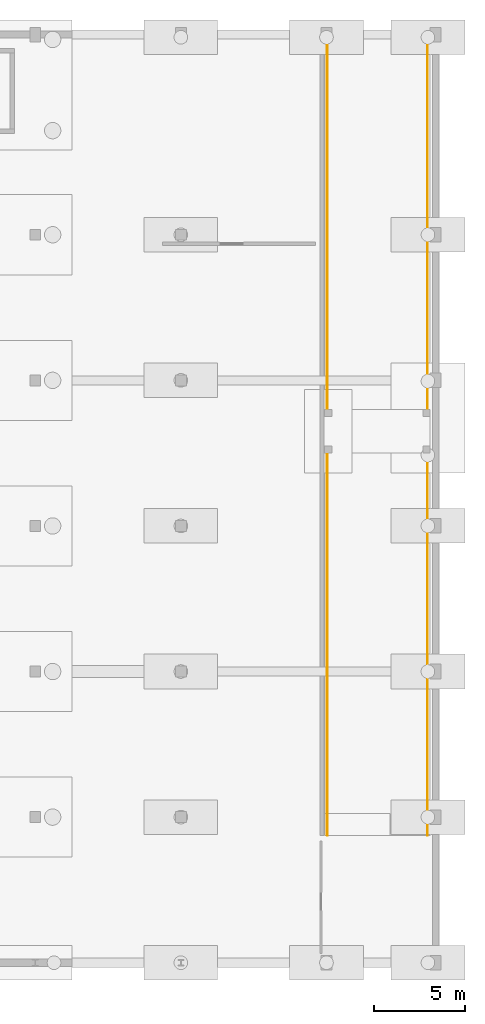
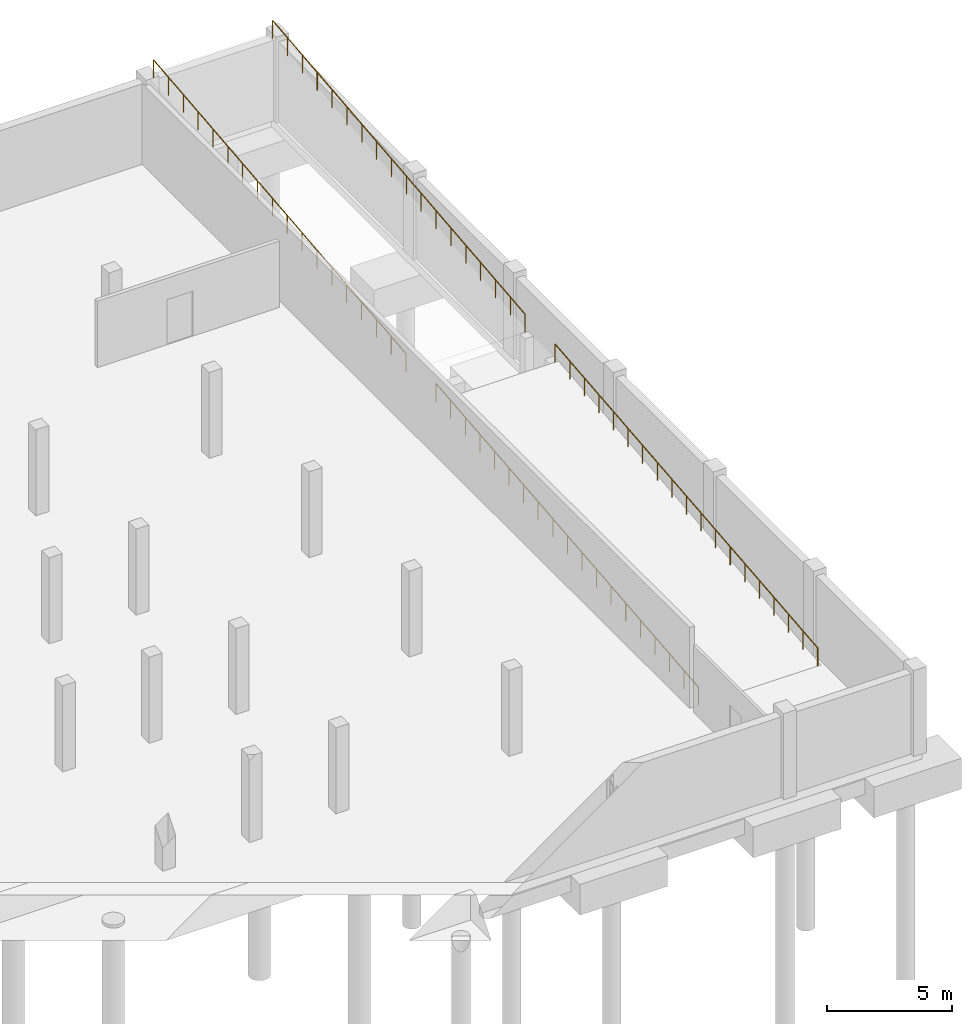
# One storey, part 14 of 15: 4 railings.
"""IFC4 building model written with IfcOpenShell, lengths in metres."""

from ifc_helpers import new_model, si_unit, derived_unit, direction, frame, origin, origin_2d, place, context, subcontext, project, spatial, circle, extrude, material, type_object, element, save


model = new_model("IFC4")

# Units and contexts
model_context = context("Model", 3, precision=1e-05, world=origin(), true_north=direction((0.0, 1.0)))
body_context = subcontext(model_context, "Body", "Model", "MODEL_VIEW")
ifc_project = project(units=[si_unit("LENGTHUNIT", "METRE"), si_unit("AREAUNIT", "SQUARE_METRE"), si_unit("VOLUMEUNIT", "CUBIC_METRE"), si_unit("PLANEANGLEUNIT", "RADIAN"), si_unit("MASSUNIT", "GRAM", prefix="KILO"), derived_unit("THERMALTRANSMITTANCEUNIT", [(si_unit("POWERUNIT", "WATT"), 1), (si_unit("LENGTHUNIT", "METRE"), -2), (si_unit("THERMODYNAMICTEMPERATUREUNIT", "KELVIN"), -1)])], contexts=[model_context])

# Site, building, storey
site_placement = place(None, origin())
site = spatial("IfcSite", under=ifc_project, at=site_placement, CompositionType="ELEMENT")
building_placement = place(site_placement, origin())
building = spatial("IfcBuilding", under=site, at=building_placement, Name="Keldorne Ridge Multi-Sports Centre", CompositionType="ELEMENT")
storey_placement = place(building_placement, frame((0.0, 0.0, -4.199951171875)))
storey = spatial("IfcBuildingStorey", under=building, at=storey_placement, Name="B01", CompositionType="ELEMENT", Elevation=-4.199951171875)

# Railings
ifc_material = material(Name="Stainless steel", Category="steel")
railing_type = type_object("IfcRailingType", Name="RLG-HR-01", PredefinedType="HANDRAIL", material=ifc_material)
railing_1_placement = place(storey_placement, frame((168.050048828125, 73.0, 0.0)))
element("IfcRailing", 1, at=railing_1_placement, inside=storey, type_object=railing_type, Name="Vehicle ramp lower handrail W", PredefinedType="HANDRAIL", context=body_context, shape_type="SweptSolid", body=[
    extrude(circle(Radius=0.02392578125, at=origin_2d()), frame((0.0, 0.0, 0.8759765625), z_axis=(0.0, 0.995037877397, 0.099496846906), x_axis=(-1.0, 0.0, 0.0)), (0.0, 0.0, 1.0), 21.104736328125),
    extrude(circle(Radius=0.02099609375, at=origin_2d()), origin(), (0.0, 0.0, 1.0), 0.851806640625),
    extrude(circle(Radius=0.02099609375, at=origin_2d()), frame((0.0, 1.166748046875, 0.11669921875)), (0.0, 0.0, 1.0), 0.851806640625),
    extrude(circle(Radius=0.02099609375, at=origin_2d()), frame((0.0, 2.333251953125, 0.2333984375)), (0.0, 0.0, 1.0), 0.851806640625),
    extrude(circle(Radius=0.02099609375, at=origin_2d()), frame((0.0, 3.5, 0.35009765625)), (0.0, 0.0, 1.0), 0.851806640625),
    extrude(circle(Radius=0.02099609375, at=origin_2d()), frame((0.0, 4.666748046875, 0.466552734375)), (0.0, 0.0, 1.0), 0.851806640625),
    extrude(circle(Radius=0.02099609375, at=origin_2d()), frame((0.0, 5.833251953125, 0.583251953125)), (0.0, 0.0, 1.0), 0.851806640625),
    extrude(circle(Radius=0.02099609375, at=origin_2d()), frame((0.0, 7.0, 0.699951171875)), (0.0, 0.0, 1.0), 0.851806640625),
    extrude(circle(Radius=0.02099609375, at=origin_2d()), frame((0.0, 8.166748046875, 0.816650390625)), (0.0, 0.0, 1.0), 0.851806640625),
    extrude(circle(Radius=0.02099609375, at=origin_2d()), frame((0.0, 9.333251953125, 0.933349609375)), (0.0, 0.0, 1.0), 0.851806640625),
    extrude(circle(Radius=0.02099609375, at=origin_2d()), frame((0.0, 10.5, 1.0498046875)), (0.0, 0.0, 1.0), 0.851806640625),
    extrude(circle(Radius=0.02099609375, at=origin_2d()), frame((0.0, 11.666748046875, 1.16650390625)), (0.0, 0.0, 1.0), 0.851806640625),
    extrude(circle(Radius=0.02099609375, at=origin_2d()), frame((0.0, 12.833251953125, 1.283203125)), (0.0, 0.0, 1.0), 0.851806640625),
    extrude(circle(Radius=0.02099609375, at=origin_2d()), frame((0.0, 14.0, 1.39990234375)), (0.0, 0.0, 1.0), 0.851806640625),
    extrude(circle(Radius=0.02099609375, at=origin_2d()), frame((0.0, 15.166748046875, 1.5166015625)), (0.0, 0.0, 1.0), 0.851806640625),
    extrude(circle(Radius=0.02099609375, at=origin_2d()), frame((0.0, 16.333251953125, 1.63330078125)), (0.0, 0.0, 1.0), 0.851806640625),
    extrude(circle(Radius=0.02099609375, at=origin_2d()), frame((0.0, 17.5, 1.75)), (0.0, 0.0, 1.0), 0.851806640625),
    extrude(circle(Radius=0.02099609375, at=origin_2d()), frame((0.0, 18.666748046875, 1.866455078125)), (0.0, 0.0, 1.0), 0.851806640625),
    extrude(circle(Radius=0.02099609375, at=origin_2d()), frame((0.0, 19.833251953125, 1.983154296875)), (0.0, 0.0, 1.0), 0.851806640625),
    extrude(circle(Radius=0.02099609375, at=origin_2d()), frame((0.0, 21.0, 2.099853515625)), (0.0, 0.0, 1.0), 0.851806640625),
])
railing_2_placement = place(storey_placement, frame((168.050048828125, 96.39990234375, 2.099853515625)))
element("IfcRailing", 2, at=railing_2_placement, inside=storey, type_object=railing_type, Name="Vehicle ramp upper handrail W", PredefinedType="HANDRAIL", context=body_context, shape_type="SweptSolid", body=[
    extrude(circle(Radius=0.02392578125, at=origin_2d()), frame((0.0, 0.0, 0.8759765625), z_axis=(0.0, 0.994639138394, 0.10340688746), x_axis=(-1.0, 0.0, 0.0)), (0.0, 0.0, 1.0), 20.30908203125),
    extrude(circle(Radius=0.02099609375, at=origin_2d()), origin(), (0.0, 0.0, 1.0), 0.851806640625),
    extrude(circle(Radius=0.02099609375, at=origin_2d()), frame((0.0, 1.188232421875, 0.12353515625)), (0.0, 0.0, 1.0), 0.851806640625),
    extrude(circle(Radius=0.02099609375, at=origin_2d()), frame((0.0, 2.37646484375, 0.2470703125)), (0.0, 0.0, 1.0), 0.851806640625),
    extrude(circle(Radius=0.02099609375, at=origin_2d()), frame((0.0, 3.564697265625, 0.37060546875)), (0.0, 0.0, 1.0), 0.851806640625),
    extrude(circle(Radius=0.02099609375, at=origin_2d()), frame((0.0, 4.7529296875, 0.494140625)), (0.0, 0.0, 1.0), 0.851806640625),
    extrude(circle(Radius=0.02099609375, at=origin_2d()), frame((0.0, 5.941162109375, 0.61767578125)), (0.0, 0.0, 1.0), 0.851806640625),
    extrude(circle(Radius=0.02099609375, at=origin_2d()), frame((0.0, 7.12939453125, 0.7412109375)), (0.0, 0.0, 1.0), 0.851806640625),
    extrude(circle(Radius=0.02099609375, at=origin_2d()), frame((0.0, 8.317626953125, 0.86474609375)), (0.0, 0.0, 1.0), 0.851806640625),
    extrude(circle(Radius=0.02099609375, at=origin_2d()), frame((0.0, 9.505859375, 0.98828125)), (0.0, 0.0, 1.0), 0.851806640625),
    extrude(circle(Radius=0.02099609375, at=origin_2d()), frame((0.0, 10.6943359375, 1.11181640625)), (0.0, 0.0, 1.0), 0.851806640625),
    extrude(circle(Radius=0.02099609375, at=origin_2d()), frame((0.0, 11.882568359375, 1.2353515625)), (0.0, 0.0, 1.0), 0.851806640625),
    extrude(circle(Radius=0.02099609375, at=origin_2d()), frame((0.0, 13.07080078125, 1.35888671875)), (0.0, 0.0, 1.0), 0.851806640625),
    extrude(circle(Radius=0.02099609375, at=origin_2d()), frame((0.0, 14.259033203125, 1.482421875)), (0.0, 0.0, 1.0), 0.851806640625),
    extrude(circle(Radius=0.02099609375, at=origin_2d()), frame((0.0, 15.447265625, 1.60595703125)), (0.0, 0.0, 1.0), 0.851806640625),
    extrude(circle(Radius=0.02099609375, at=origin_2d()), frame((0.0, 16.635498046875, 1.7294921875)), (0.0, 0.0, 1.0), 0.851806640625),
    extrude(circle(Radius=0.02099609375, at=origin_2d()), frame((0.0, 17.82373046875, 1.85302734375)), (0.0, 0.0, 1.0), 0.851806640625),
    extrude(circle(Radius=0.02099609375, at=origin_2d()), frame((0.0, 19.011962890625, 1.9765625)), (0.0, 0.0, 1.0), 0.851806640625),
    extrude(circle(Radius=0.02099609375, at=origin_2d()), frame((0.0, 20.2001953125, 2.10009765625)), (0.0, 0.0, 1.0), 0.851806640625),
])
railing_3_placement = place(storey_placement, frame((173.550048828125, 73.0, 0.0)))
element("IfcRailing", 3, at=railing_3_placement, inside=storey, type_object=railing_type, Name="Vehicle ramp lower handrail E", PredefinedType="HANDRAIL", context=body_context, shape_type="SweptSolid", body=[
    extrude(circle(Radius=0.02392578125, at=origin_2d()), frame((0.0, 0.0, 0.8759765625), z_axis=(0.0, 0.995037877397, 0.099496846906), x_axis=(-1.0, 0.0, 0.0)), (0.0, 0.0, 1.0), 21.104736328125),
    extrude(circle(Radius=0.02099609375, at=origin_2d()), origin(), (0.0, 0.0, 1.0), 0.851806640625),
    extrude(circle(Radius=0.02099609375, at=origin_2d()), frame((0.0, 1.166748046875, 0.11669921875)), (0.0, 0.0, 1.0), 0.851806640625),
    extrude(circle(Radius=0.02099609375, at=origin_2d()), frame((0.0, 2.333251953125, 0.2333984375)), (0.0, 0.0, 1.0), 0.851806640625),
    extrude(circle(Radius=0.02099609375, at=origin_2d()), frame((0.0, 3.5, 0.35009765625)), (0.0, 0.0, 1.0), 0.851806640625),
    extrude(circle(Radius=0.02099609375, at=origin_2d()), frame((0.0, 4.666748046875, 0.466552734375)), (0.0, 0.0, 1.0), 0.851806640625),
    extrude(circle(Radius=0.02099609375, at=origin_2d()), frame((0.0, 5.833251953125, 0.583251953125)), (0.0, 0.0, 1.0), 0.851806640625),
    extrude(circle(Radius=0.02099609375, at=origin_2d()), frame((0.0, 7.0, 0.699951171875)), (0.0, 0.0, 1.0), 0.851806640625),
    extrude(circle(Radius=0.02099609375, at=origin_2d()), frame((0.0, 8.166748046875, 0.816650390625)), (0.0, 0.0, 1.0), 0.851806640625),
    extrude(circle(Radius=0.02099609375, at=origin_2d()), frame((0.0, 9.333251953125, 0.933349609375)), (0.0, 0.0, 1.0), 0.851806640625),
    extrude(circle(Radius=0.02099609375, at=origin_2d()), frame((0.0, 10.5, 1.0498046875)), (0.0, 0.0, 1.0), 0.851806640625),
    extrude(circle(Radius=0.02099609375, at=origin_2d()), frame((0.0, 11.666748046875, 1.16650390625)), (0.0, 0.0, 1.0), 0.851806640625),
    extrude(circle(Radius=0.02099609375, at=origin_2d()), frame((0.0, 12.833251953125, 1.283203125)), (0.0, 0.0, 1.0), 0.851806640625),
    extrude(circle(Radius=0.02099609375, at=origin_2d()), frame((0.0, 14.0, 1.39990234375)), (0.0, 0.0, 1.0), 0.851806640625),
    extrude(circle(Radius=0.02099609375, at=origin_2d()), frame((0.0, 15.166748046875, 1.5166015625)), (0.0, 0.0, 1.0), 0.851806640625),
    extrude(circle(Radius=0.02099609375, at=origin_2d()), frame((0.0, 16.333251953125, 1.63330078125)), (0.0, 0.0, 1.0), 0.851806640625),
    extrude(circle(Radius=0.02099609375, at=origin_2d()), frame((0.0, 17.5, 1.75)), (0.0, 0.0, 1.0), 0.851806640625),
    extrude(circle(Radius=0.02099609375, at=origin_2d()), frame((0.0, 18.666748046875, 1.866455078125)), (0.0, 0.0, 1.0), 0.851806640625),
    extrude(circle(Radius=0.02099609375, at=origin_2d()), frame((0.0, 19.833251953125, 1.983154296875)), (0.0, 0.0, 1.0), 0.851806640625),
    extrude(circle(Radius=0.02099609375, at=origin_2d()), frame((0.0, 21.0, 2.099853515625)), (0.0, 0.0, 1.0), 0.851806640625),
])
railing_4_placement = place(storey_placement, frame((173.550048828125, 96.39990234375, 2.099853515625)))
element("IfcRailing", 4, at=railing_4_placement, inside=storey, type_object=railing_type, Name="Vehicle ramp upper handrail E", PredefinedType="HANDRAIL", context=body_context, shape_type="SweptSolid", body=[
    extrude(circle(Radius=0.02392578125, at=origin_2d()), frame((0.0, 0.0, 0.8759765625), z_axis=(0.0, 0.994639138394, 0.10340688746), x_axis=(-1.0, 0.0, 0.0)), (0.0, 0.0, 1.0), 20.30908203125),
    extrude(circle(Radius=0.02099609375, at=origin_2d()), origin(), (0.0, 0.0, 1.0), 0.851806640625),
    extrude(circle(Radius=0.02099609375, at=origin_2d()), frame((0.0, 1.188232421875, 0.12353515625)), (0.0, 0.0, 1.0), 0.851806640625),
    extrude(circle(Radius=0.02099609375, at=origin_2d()), frame((0.0, 2.37646484375, 0.2470703125)), (0.0, 0.0, 1.0), 0.851806640625),
    extrude(circle(Radius=0.02099609375, at=origin_2d()), frame((0.0, 3.564697265625, 0.37060546875)), (0.0, 0.0, 1.0), 0.851806640625),
    extrude(circle(Radius=0.02099609375, at=origin_2d()), frame((0.0, 4.7529296875, 0.494140625)), (0.0, 0.0, 1.0), 0.851806640625),
    extrude(circle(Radius=0.02099609375, at=origin_2d()), frame((0.0, 5.941162109375, 0.61767578125)), (0.0, 0.0, 1.0), 0.851806640625),
    extrude(circle(Radius=0.02099609375, at=origin_2d()), frame((0.0, 7.12939453125, 0.7412109375)), (0.0, 0.0, 1.0), 0.851806640625),
    extrude(circle(Radius=0.02099609375, at=origin_2d()), frame((0.0, 8.317626953125, 0.86474609375)), (0.0, 0.0, 1.0), 0.851806640625),
    extrude(circle(Radius=0.02099609375, at=origin_2d()), frame((0.0, 9.505859375, 0.98828125)), (0.0, 0.0, 1.0), 0.851806640625),
    extrude(circle(Radius=0.02099609375, at=origin_2d()), frame((0.0, 10.6943359375, 1.11181640625)), (0.0, 0.0, 1.0), 0.851806640625),
    extrude(circle(Radius=0.02099609375, at=origin_2d()), frame((0.0, 11.882568359375, 1.2353515625)), (0.0, 0.0, 1.0), 0.851806640625),
    extrude(circle(Radius=0.02099609375, at=origin_2d()), frame((0.0, 13.07080078125, 1.35888671875)), (0.0, 0.0, 1.0), 0.851806640625),
    extrude(circle(Radius=0.02099609375, at=origin_2d()), frame((0.0, 14.259033203125, 1.482421875)), (0.0, 0.0, 1.0), 0.851806640625),
    extrude(circle(Radius=0.02099609375, at=origin_2d()), frame((0.0, 15.447265625, 1.60595703125)), (0.0, 0.0, 1.0), 0.851806640625),
    extrude(circle(Radius=0.02099609375, at=origin_2d()), frame((0.0, 16.635498046875, 1.7294921875)), (0.0, 0.0, 1.0), 0.851806640625),
    extrude(circle(Radius=0.02099609375, at=origin_2d()), frame((0.0, 17.82373046875, 1.85302734375)), (0.0, 0.0, 1.0), 0.851806640625),
    extrude(circle(Radius=0.02099609375, at=origin_2d()), frame((0.0, 19.011962890625, 1.9765625)), (0.0, 0.0, 1.0), 0.851806640625),
    extrude(circle(Radius=0.02099609375, at=origin_2d()), frame((0.0, 20.2001953125, 2.10009765625)), (0.0, 0.0, 1.0), 0.851806640625),
])

save(model, "model.ifc")
